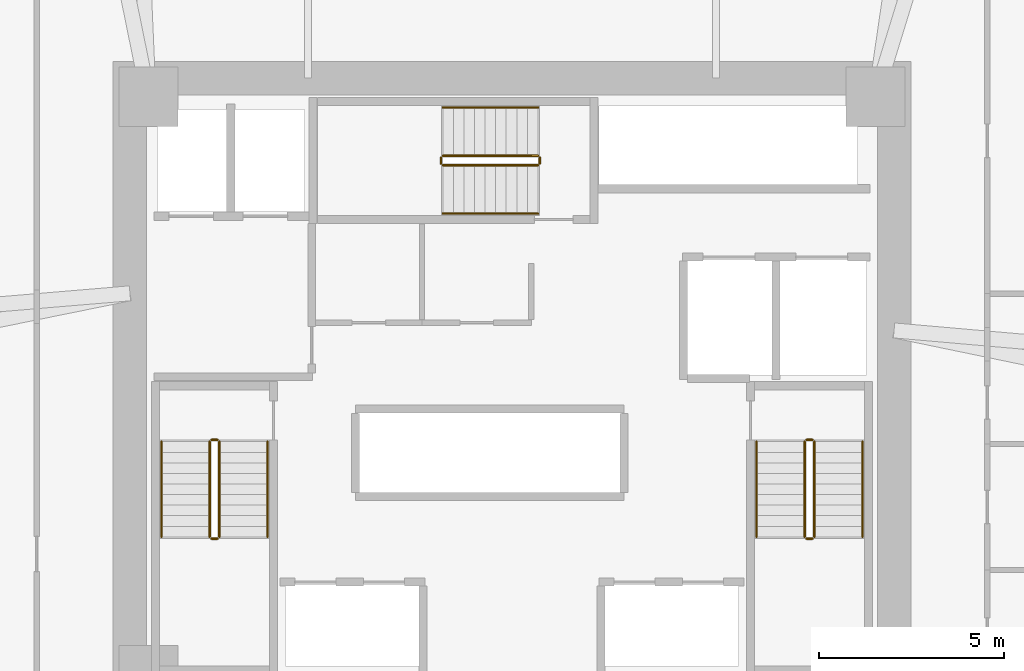
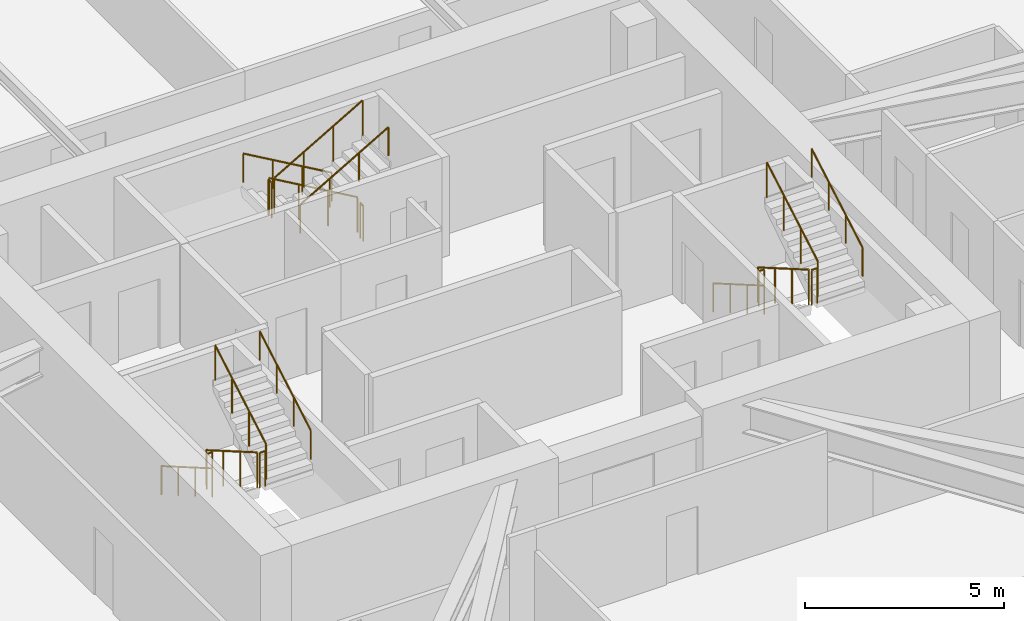
# One storey, part 14 of 14: 18 railings.
"""IFC4 building model written with IfcOpenShell, lengths in metres."""

from ifc_helpers import new_model, si_unit, direction, frame, origin, origin_2d, place, context, subcontext, project, spatial, circle, extrude, material, type_object, element, save


model = new_model("IFC4")

# Units and contexts
model_context = context("Model", 3, precision=1e-05, world=origin(), true_north=direction((0.0, 1.0)))
body_context = subcontext(model_context, "Body", "Model", "MODEL_VIEW")
ifc_project = project(units=[si_unit("LENGTHUNIT", "METRE"), si_unit("AREAUNIT", "SQUARE_METRE"), si_unit("VOLUMEUNIT", "CUBIC_METRE"), si_unit("PLANEANGLEUNIT", "RADIAN"), si_unit("MASSUNIT", "GRAM", prefix="KILO")], contexts=[model_context])

# Site, building, storey
site_placement = place(None, origin())
site = spatial("IfcSite", under=ifc_project, at=site_placement, CompositionType="ELEMENT")
building_placement = place(site_placement, origin())
building = spatial("IfcBuilding", under=site, at=building_placement, Name="Durnholm Broadcast Tower", CompositionType="ELEMENT")
storey_placement = place(building_placement, frame((0.0, 0.0, 35.699951171875)))
storey = spatial("IfcBuildingStorey", under=building, at=storey_placement, Name="L07", CompositionType="ELEMENT", Elevation=35.699951171875)

# Railings
ifc_material_1 = material(Name="Painted Tubular Steel Stair Guardrail", Category="steel")
railing_type_1 = type_object("IfcRailingType", Name="RAIL-ST-GRD", PredefinedType="GUARDRAIL", material=ifc_material_1)
railing_1_placement = place(storey_placement, frame((-8.14990234375, -1.5, 0.1650390625)))
element("IfcRailing", 1, at=railing_1_placement, inside=storey, type_object=railing_type_1, Name="L07 ST-1 stair guard 1", PredefinedType="GUARDRAIL", context=body_context, shape_type="SweptSolid", body=[
    extrude(circle(Radius=0.02392578125, at=origin_2d()), frame((0.0, 0.0, 1.076171875), z_axis=(0.0, -0.865405606168, 0.501071987656), x_axis=(1.0, 0.0, 0.0)), (0.0, 0.0, 1.0), 2.9638671875),
    extrude(circle(Radius=0.02099609375, at=origin_2d()), origin(), (0.0, 0.0, 1.0), 1.052001953125),
    extrude(circle(Radius=0.02099609375, at=origin_2d()), frame((0.0, -0.85498046875, 0.4951171875)), (0.0, 0.0, 1.0), 1.052001953125),
    extrude(circle(Radius=0.02099609375, at=origin_2d()), frame((0.0, -1.7099609375, 0.989990234375)), (0.0, 0.0, 1.0), 1.052001953125),
    extrude(circle(Radius=0.02099609375, at=origin_2d()), frame((0.0, -2.56494140625, 1.485107421875)), (0.0, 0.0, 1.0), 1.052001953125),
])
railing_2_placement = place(storey_placement, frame((-8.10009765625, -4.114990234375, 1.650146484375)))
element("IfcRailing", 2, at=railing_2_placement, inside=storey, type_object=railing_type_1, Name="L07 ST-1 stair guard 2", PredefinedType="GUARDRAIL", context=body_context, shape_type="SweptSolid", body=[
    extrude(circle(Radius=0.02392578125, at=origin_2d()), frame((0.0, 0.0, 1.076171875), z_axis=(1.0, 0.0, 0.0), x_axis=(0.0, 1.0, 0.0)), (0.0, 0.0, 1.0), 0.16015625),
    extrude(circle(Radius=0.02099609375, at=origin_2d()), origin(), (0.0, 0.0, 1.0), 1.052001953125),
    extrude(circle(Radius=0.02099609375, at=origin_2d()), frame((0.16015625, 0.0, 0.0)), (0.0, 0.0, 1.0), 1.052001953125),
])
railing_3_placement = place(storey_placement, frame((-7.889892578125, -4.06494140625, 1.81494140625)))
element("IfcRailing", 3, at=railing_3_placement, inside=storey, type_object=railing_type_1, Name="L07 ST-1 stair guard 3", PredefinedType="GUARDRAIL", context=body_context, shape_type="SweptSolid", body=[
    extrude(circle(Radius=0.02392578125, at=origin_2d()), frame((0.0, 0.0, 1.076171875), z_axis=(0.0, 0.865405606168, 0.501071987656), x_axis=(-1.0, 0.0, 0.0)), (0.0, 0.0, 1.0), 2.9638671875),
    extrude(circle(Radius=0.02099609375, at=origin_2d()), origin(), (0.0, 0.0, 1.0), 1.052001953125),
    extrude(circle(Radius=0.02099609375, at=origin_2d()), frame((0.0, 0.85498046875, 0.4951171875)), (0.0, 0.0, 1.0), 1.052001953125),
    extrude(circle(Radius=0.02099609375, at=origin_2d()), frame((0.0, 1.7099609375, 0.989990234375)), (0.0, 0.0, 1.0), 1.052001953125),
    extrude(circle(Radius=0.02099609375, at=origin_2d()), frame((0.0, 2.56494140625, 1.485107421875)), (0.0, 0.0, 1.0), 1.052001953125),
])
railing_4_placement = place(storey_placement, frame((-8.10009765625, -1.449951171875, 0.0)))
element("IfcRailing", 4, at=railing_4_placement, inside=storey, type_object=railing_type_1, Name="L07 ST-1 stair guard 4", PredefinedType="GUARDRAIL", context=body_context, shape_type="SweptSolid", body=[
    extrude(circle(Radius=0.02392578125, at=origin_2d()), frame((0.0, 0.0, 1.076171875), z_axis=(1.0, 0.0, 0.0), x_axis=(0.0, 1.0, 0.0)), (0.0, 0.0, 1.0), 0.16015625),
    extrude(circle(Radius=0.02099609375, at=origin_2d()), origin(), (0.0, 0.0, 1.0), 1.052001953125),
    extrude(circle(Radius=0.02099609375, at=origin_2d()), frame((0.16015625, 0.0, 0.0)), (0.0, 0.0, 1.0), 1.052001953125),
])
railing_5_placement = place(storey_placement, frame((7.889892578125, -1.5, 0.1650390625)))
element("IfcRailing", 5, at=railing_5_placement, inside=storey, type_object=railing_type_1, Name="L07 ST-2 stair guard 1", PredefinedType="GUARDRAIL", context=body_context, shape_type="SweptSolid", body=[
    extrude(circle(Radius=0.02392578125, at=origin_2d()), frame((0.0, 0.0, 1.076171875), z_axis=(0.0, -0.865405606168, 0.501071987656), x_axis=(1.0, 0.0, 0.0)), (0.0, 0.0, 1.0), 2.9638671875),
    extrude(circle(Radius=0.02099609375, at=origin_2d()), origin(), (0.0, 0.0, 1.0), 1.052001953125),
    extrude(circle(Radius=0.02099609375, at=origin_2d()), frame((0.0, -0.85498046875, 0.4951171875)), (0.0, 0.0, 1.0), 1.052001953125),
    extrude(circle(Radius=0.02099609375, at=origin_2d()), frame((0.0, -1.7099609375, 0.989990234375)), (0.0, 0.0, 1.0), 1.052001953125),
    extrude(circle(Radius=0.02099609375, at=origin_2d()), frame((0.0, -2.56494140625, 1.485107421875)), (0.0, 0.0, 1.0), 1.052001953125),
])
railing_6_placement = place(storey_placement, frame((7.93994140625, -4.114990234375, 1.650146484375)))
element("IfcRailing", 6, at=railing_6_placement, inside=storey, type_object=railing_type_1, Name="L07 ST-2 stair guard 2", PredefinedType="GUARDRAIL", context=body_context, shape_type="SweptSolid", body=[
    extrude(circle(Radius=0.02392578125, at=origin_2d()), frame((0.0, 0.0, 1.076171875), z_axis=(1.0, 0.0, 0.0), x_axis=(0.0, 1.0, 0.0)), (0.0, 0.0, 1.0), 0.16015625),
    extrude(circle(Radius=0.02099609375, at=origin_2d()), origin(), (0.0, 0.0, 1.0), 1.052001953125),
    extrude(circle(Radius=0.02099609375, at=origin_2d()), frame((0.16015625, 0.0, 0.0)), (0.0, 0.0, 1.0), 1.052001953125),
])
railing_7_placement = place(storey_placement, frame((8.14990234375, -4.06494140625, 1.81494140625)))
element("IfcRailing", 7, at=railing_7_placement, inside=storey, type_object=railing_type_1, Name="L07 ST-2 stair guard 3", PredefinedType="GUARDRAIL", context=body_context, shape_type="SweptSolid", body=[
    extrude(circle(Radius=0.02392578125, at=origin_2d()), frame((0.0, 0.0, 1.076171875), z_axis=(0.0, 0.865405606168, 0.501071987656), x_axis=(-1.0, 0.0, 0.0)), (0.0, 0.0, 1.0), 2.9638671875),
    extrude(circle(Radius=0.02099609375, at=origin_2d()), origin(), (0.0, 0.0, 1.0), 1.052001953125),
    extrude(circle(Radius=0.02099609375, at=origin_2d()), frame((0.0, 0.85498046875, 0.4951171875)), (0.0, 0.0, 1.0), 1.052001953125),
    extrude(circle(Radius=0.02099609375, at=origin_2d()), frame((0.0, 1.7099609375, 0.989990234375)), (0.0, 0.0, 1.0), 1.052001953125),
    extrude(circle(Radius=0.02099609375, at=origin_2d()), frame((0.0, 2.56494140625, 1.485107421875)), (0.0, 0.0, 1.0), 1.052001953125),
])
railing_8_placement = place(storey_placement, frame((7.93994140625, -1.449951171875, 0.0)))
element("IfcRailing", 8, at=railing_8_placement, inside=storey, type_object=railing_type_1, Name="L07 ST-2 stair guard 4", PredefinedType="GUARDRAIL", context=body_context, shape_type="SweptSolid", body=[
    extrude(circle(Radius=0.02392578125, at=origin_2d()), frame((0.0, 0.0, 1.076171875), z_axis=(1.0, 0.0, 0.0), x_axis=(0.0, 1.0, 0.0)), (0.0, 0.0, 1.0), 0.16015625),
    extrude(circle(Radius=0.02099609375, at=origin_2d()), origin(), (0.0, 0.0, 1.0), 1.052001953125),
    extrude(circle(Radius=0.02099609375, at=origin_2d()), frame((0.16015625, 0.0, 0.0)), (0.0, 0.0, 1.0), 1.052001953125),
])
railing_9_placement = place(storey_placement, frame((0.699951171875, 6.2099609375, 0.1650390625)))
element("IfcRailing", 9, at=railing_9_placement, inside=storey, type_object=railing_type_1, Name="L07 ST-3 stair guard 1", PredefinedType="GUARDRAIL", context=body_context, shape_type="SweptSolid", body=[
    extrude(circle(Radius=0.02392578125, at=origin_2d()), frame((0.0, 0.0, 1.076171875), z_axis=(-0.865405606168, 0.0, 0.501071987656), x_axis=(0.0, -1.0, 0.0)), (0.0, 0.0, 1.0), 2.9638671875),
    extrude(circle(Radius=0.02099609375, at=origin_2d()), origin(), (0.0, 0.0, 1.0), 1.052001953125),
    extrude(circle(Radius=0.02099609375, at=origin_2d()), frame((-0.85498046875, 0.0, 0.4951171875)), (0.0, 0.0, 1.0), 1.052001953125),
    extrude(circle(Radius=0.02099609375, at=origin_2d()), frame((-1.7099609375, 0.0, 0.989990234375)), (0.0, 0.0, 1.0), 1.052001953125),
    extrude(circle(Radius=0.02099609375, at=origin_2d()), frame((-2.56494140625, 0.0, 1.485107421875)), (0.0, 0.0, 1.0), 1.052001953125),
])
railing_10_placement = place(storey_placement, frame((-1.9150390625, 6.159912109375, 1.650146484375)))
element("IfcRailing", 10, at=railing_10_placement, inside=storey, type_object=railing_type_1, Name="L07 ST-3 stair guard 2", PredefinedType="GUARDRAIL", context=body_context, shape_type="SweptSolid", body=[
    extrude(circle(Radius=0.02392578125, at=origin_2d()), frame((0.0, 0.0, 1.076171875), z_axis=(0.0, -1.0, 0.0), x_axis=(1.0, 0.0, 0.0)), (0.0, 0.0, 1.0), 0.159912109375),
    extrude(circle(Radius=0.02099609375, at=origin_2d()), origin(), (0.0, 0.0, 1.0), 1.052001953125),
    extrude(circle(Radius=0.02099609375, at=origin_2d()), frame((0.0, -0.159912109375, 0.0)), (0.0, 0.0, 1.0), 1.052001953125),
])
railing_11_placement = place(storey_placement, frame((-1.864990234375, 5.949951171875, 1.81494140625)))
element("IfcRailing", 11, at=railing_11_placement, inside=storey, type_object=railing_type_1, Name="L07 ST-3 stair guard 3", PredefinedType="GUARDRAIL", context=body_context, shape_type="SweptSolid", body=[
    extrude(circle(Radius=0.02392578125, at=origin_2d()), frame((0.0, 0.0, 1.076171875), z_axis=(0.865405606168, 0.0, 0.501071987656), x_axis=(0.0, 1.0, 0.0)), (0.0, 0.0, 1.0), 2.9638671875),
    extrude(circle(Radius=0.02099609375, at=origin_2d()), origin(), (0.0, 0.0, 1.0), 1.052001953125),
    extrude(circle(Radius=0.02099609375, at=origin_2d()), frame((0.85498046875, 0.0, 0.4951171875)), (0.0, 0.0, 1.0), 1.052001953125),
    extrude(circle(Radius=0.02099609375, at=origin_2d()), frame((1.7099609375, 0.0, 0.989990234375)), (0.0, 0.0, 1.0), 1.052001953125),
    extrude(circle(Radius=0.02099609375, at=origin_2d()), frame((2.56494140625, 0.0, 1.485107421875)), (0.0, 0.0, 1.0), 1.052001953125),
])
railing_12_placement = place(storey_placement, frame((0.75, 6.159912109375, 0.0)))
element("IfcRailing", 12, at=railing_12_placement, inside=storey, type_object=railing_type_1, Name="L07 ST-3 stair guard 4", PredefinedType="GUARDRAIL", context=body_context, shape_type="SweptSolid", body=[
    extrude(circle(Radius=0.02392578125, at=origin_2d()), frame((0.0, 0.0, 1.076171875), z_axis=(0.0, -1.0, 0.0), x_axis=(1.0, 0.0, 0.0)), (0.0, 0.0, 1.0), 0.159912109375),
    extrude(circle(Radius=0.02099609375, at=origin_2d()), origin(), (0.0, 0.0, 1.0), 1.052001953125),
    extrude(circle(Radius=0.02099609375, at=origin_2d()), frame((0.0, -0.159912109375, 0.0)), (0.0, 0.0, 1.0), 1.052001953125),
])
ifc_material_2 = material(Name="Brushed Stainless Steel Handrail", Category="steel")
railing_type_2 = type_object("IfcRailingType", Name="RAIL-ST-HND", PredefinedType="HANDRAIL", material=ifc_material_2)
railing_13_placement = place(storey_placement, frame((-9.449951171875, -1.5, 0.330078125)))
element("IfcRailing", 13, at=railing_13_placement, inside=storey, type_object=railing_type_2, Name="L07 ST-1 stair handrail 1", PredefinedType="HANDRAIL", context=body_context, shape_type="SweptSolid", body=[
    extrude(circle(Radius=0.02392578125, at=origin_2d()), frame((0.0, 0.0, 0.8759765625), z_axis=(0.0, -0.865441324677, 0.50101029285), x_axis=(1.0, 0.0, 0.0)), (0.0, 0.0, 1.0), 2.963623046875),
    extrude(circle(Radius=0.02099609375, at=origin_2d()), origin(), (0.0, 0.0, 1.0), 0.851806640625),
    extrude(circle(Radius=0.02099609375, at=origin_2d()), frame((0.0, -0.85498046875, 0.494873046875)), (0.0, 0.0, 1.0), 0.851806640625),
    extrude(circle(Radius=0.02099609375, at=origin_2d()), frame((0.0, -1.7099609375, 0.989990234375)), (0.0, 0.0, 1.0), 0.851806640625),
    extrude(circle(Radius=0.02099609375, at=origin_2d()), frame((0.0, -2.56494140625, 1.48486328125)), (0.0, 0.0, 1.0), 0.851806640625),
])
railing_14_placement = place(storey_placement, frame((-6.590087890625, -4.06494140625, 1.97998046875)))
element("IfcRailing", 14, at=railing_14_placement, inside=storey, type_object=railing_type_2, Name="L07 ST-1 stair handrail 2", PredefinedType="HANDRAIL", context=body_context, shape_type="SweptSolid", body=[
    extrude(circle(Radius=0.02392578125, at=origin_2d()), frame((0.0, 0.0, 0.8759765625), z_axis=(0.0, 0.865405606168, 0.501071987656), x_axis=(-1.0, 0.0, 0.0)), (0.0, 0.0, 1.0), 2.9638671875),
    extrude(circle(Radius=0.02099609375, at=origin_2d()), origin(), (0.0, 0.0, 1.0), 0.851806640625),
    extrude(circle(Radius=0.02099609375, at=origin_2d()), frame((0.0, 0.85498046875, 0.4951171875)), (0.0, 0.0, 1.0), 0.851806640625),
    extrude(circle(Radius=0.02099609375, at=origin_2d()), frame((0.0, 1.7099609375, 0.989990234375)), (0.0, 0.0, 1.0), 0.851806640625),
    extrude(circle(Radius=0.02099609375, at=origin_2d()), frame((0.0, 2.56494140625, 1.485107421875)), (0.0, 0.0, 1.0), 0.851806640625),
])
railing_15_placement = place(storey_placement, frame((6.590087890625, -1.5, 0.330078125)))
element("IfcRailing", 15, at=railing_15_placement, inside=storey, type_object=railing_type_2, Name="L07 ST-2 stair handrail 1", PredefinedType="HANDRAIL", context=body_context, shape_type="SweptSolid", body=[
    extrude(circle(Radius=0.02392578125, at=origin_2d()), frame((0.0, 0.0, 0.8759765625), z_axis=(0.0, -0.865441324677, 0.50101029285), x_axis=(1.0, 0.0, 0.0)), (0.0, 0.0, 1.0), 2.963623046875),
    extrude(circle(Radius=0.02099609375, at=origin_2d()), origin(), (0.0, 0.0, 1.0), 0.851806640625),
    extrude(circle(Radius=0.02099609375, at=origin_2d()), frame((0.0, -0.85498046875, 0.494873046875)), (0.0, 0.0, 1.0), 0.851806640625),
    extrude(circle(Radius=0.02099609375, at=origin_2d()), frame((0.0, -1.7099609375, 0.989990234375)), (0.0, 0.0, 1.0), 0.851806640625),
    extrude(circle(Radius=0.02099609375, at=origin_2d()), frame((0.0, -2.56494140625, 1.48486328125)), (0.0, 0.0, 1.0), 0.851806640625),
])
railing_16_placement = place(storey_placement, frame((9.449951171875, -4.06494140625, 1.97998046875)))
element("IfcRailing", 16, at=railing_16_placement, inside=storey, type_object=railing_type_2, Name="L07 ST-2 stair handrail 2", PredefinedType="HANDRAIL", context=body_context, shape_type="SweptSolid", body=[
    extrude(circle(Radius=0.02392578125, at=origin_2d()), frame((0.0, 0.0, 0.8759765625), z_axis=(0.0, 0.865405606168, 0.501071987656), x_axis=(-1.0, 0.0, 0.0)), (0.0, 0.0, 1.0), 2.9638671875),
    extrude(circle(Radius=0.02099609375, at=origin_2d()), origin(), (0.0, 0.0, 1.0), 0.851806640625),
    extrude(circle(Radius=0.02099609375, at=origin_2d()), frame((0.0, 0.85498046875, 0.4951171875)), (0.0, 0.0, 1.0), 0.851806640625),
    extrude(circle(Radius=0.02099609375, at=origin_2d()), frame((0.0, 1.7099609375, 0.989990234375)), (0.0, 0.0, 1.0), 0.851806640625),
    extrude(circle(Radius=0.02099609375, at=origin_2d()), frame((0.0, 2.56494140625, 1.485107421875)), (0.0, 0.0, 1.0), 0.851806640625),
])
railing_17_placement = place(storey_placement, frame((0.699951171875, 7.510009765625, 0.330078125)))
element("IfcRailing", 17, at=railing_17_placement, inside=storey, type_object=railing_type_2, Name="L07 ST-3 stair handrail 1", PredefinedType="HANDRAIL", context=body_context, shape_type="SweptSolid", body=[
    extrude(circle(Radius=0.02392578125, at=origin_2d()), frame((0.0, 0.0, 0.8759765625), z_axis=(-0.865441324677, 0.0, 0.50101029285), x_axis=(0.0, -1.0, 0.0)), (0.0, 0.0, 1.0), 2.963623046875),
    extrude(circle(Radius=0.02099609375, at=origin_2d()), origin(), (0.0, 0.0, 1.0), 0.851806640625),
    extrude(circle(Radius=0.02099609375, at=origin_2d()), frame((-0.85498046875, 0.0, 0.494873046875)), (0.0, 0.0, 1.0), 0.851806640625),
    extrude(circle(Radius=0.02099609375, at=origin_2d()), frame((-1.7099609375, 0.0, 0.989990234375)), (0.0, 0.0, 1.0), 0.851806640625),
    extrude(circle(Radius=0.02099609375, at=origin_2d()), frame((-2.56494140625, 0.0, 1.48486328125)), (0.0, 0.0, 1.0), 0.851806640625),
])
railing_18_placement = place(storey_placement, frame((-1.864990234375, 4.64990234375, 1.97998046875)))
element("IfcRailing", 18, at=railing_18_placement, inside=storey, type_object=railing_type_2, Name="L07 ST-3 stair handrail 2", PredefinedType="HANDRAIL", context=body_context, shape_type="SweptSolid", body=[
    extrude(circle(Radius=0.02392578125, at=origin_2d()), frame((0.0, 0.0, 0.8759765625), z_axis=(0.865405606168, 0.0, 0.501071987656), x_axis=(0.0, 1.0, 0.0)), (0.0, 0.0, 1.0), 2.9638671875),
    extrude(circle(Radius=0.02099609375, at=origin_2d()), origin(), (0.0, 0.0, 1.0), 0.851806640625),
    extrude(circle(Radius=0.02099609375, at=origin_2d()), frame((0.85498046875, 0.0, 0.4951171875)), (0.0, 0.0, 1.0), 0.851806640625),
    extrude(circle(Radius=0.02099609375, at=origin_2d()), frame((1.7099609375, 0.0, 0.989990234375)), (0.0, 0.0, 1.0), 0.851806640625),
    extrude(circle(Radius=0.02099609375, at=origin_2d()), frame((2.56494140625, 0.0, 1.485107421875)), (0.0, 0.0, 1.0), 0.851806640625),
])

save(model, "model.ifc")
